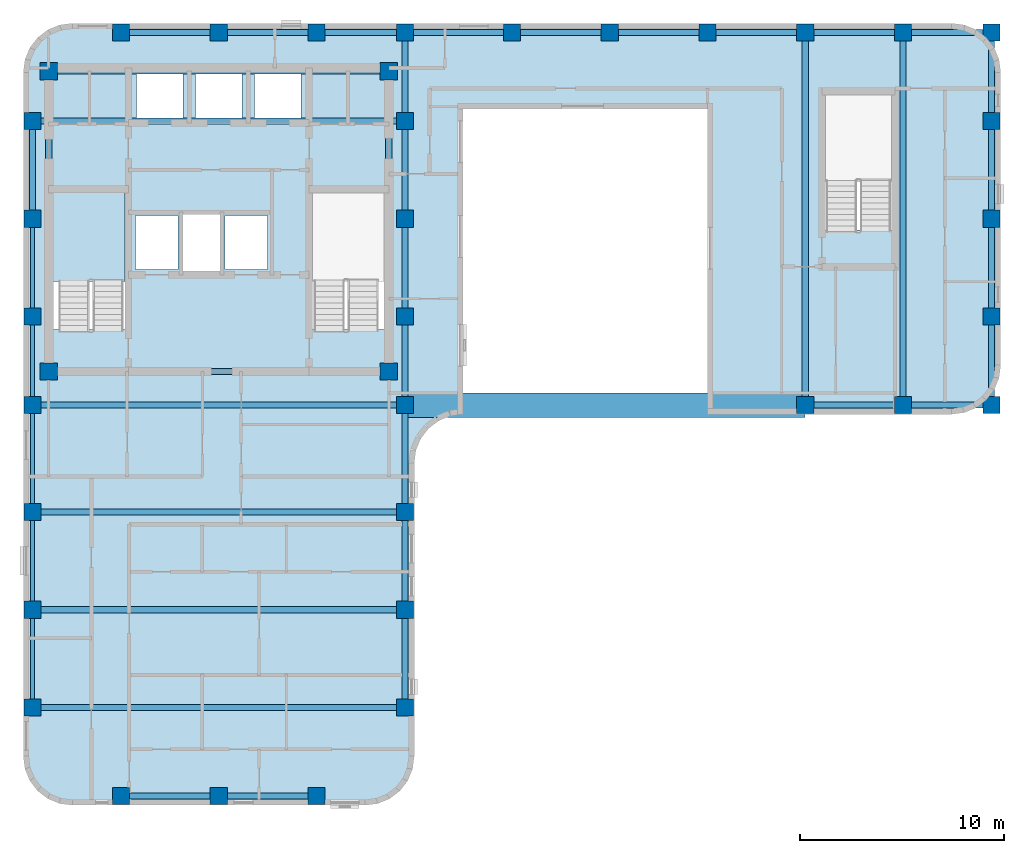
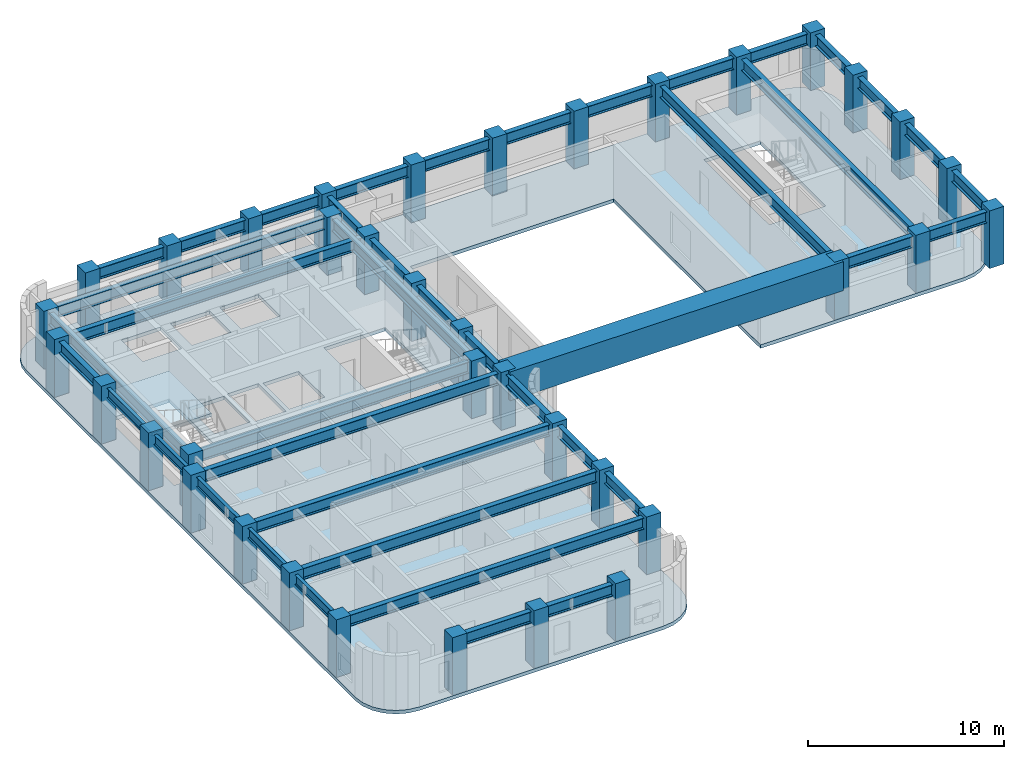
# One storey, part 1 of 8: 42 beams, 37 columns, 2 slabs, 1 element without a shape of its own.
"""IFC4 building model written with IfcOpenShell, lengths in metres."""

import ifcopenshell
import ifcopenshell.guid

model = None  # the IFC model being written
_history = None  # IfcOwnerHistory: only IFC2X3 demands one
_inside = {}  # id of a spatial element -> (the spatial element, [elements in it])
_under = {}  # id of a project, library or spatial element -> (it, [spatial elements below it])
_declared = {}  # id of a project -> (the project, [libraries it declares])
_typed = {}  # id of a type object -> (the type object, [elements of that type])
_made_of = {}  # id of a material, layer set ... -> (it, [elements and type objects made of it])


def new_model(schema):
    """Start an empty IFC model of exactly this schema.

    Asked for "IFC4X3", IfcOpenShell would pick the latest addendum, in which some entities
    have other attributes; the version numbers below select the first issue.
    IFC2X3 requires an IfcOwnerHistory on every rooted entity: one is made here for all.
    """
    global model, _history
    if schema == "IFC4X3":
        model = ifcopenshell.file(schema_version=(4, 3, 0, 0))
    else:
        model = ifcopenshell.file(schema=schema)
    _inside.clear()
    _under.clear()
    _declared.clear()
    _typed.clear()
    _made_of.clear()
    _history = None
    if model.schema == "IFC2X3":
        org = make("IfcOrganization", Name="unknown")
        user = make(
            "IfcPersonAndOrganization",
            ThePerson=make("IfcPerson", FamilyName="unknown"),
            TheOrganization=org,
        )
        app = make(
            "IfcApplication",
            ApplicationDeveloper=org,
            Version="unknown",
            ApplicationFullName="unknown",
            ApplicationIdentifier="unknown",
        )
        _history = make(
            "IfcOwnerHistory",
            OwningUser=user,
            OwningApplication=app,
            ChangeAction="ADDED",
            CreationDate=0,
        )
    return model


def make(cls, **values):
    """One entity of the class cls with the attributes given. An attribute that is None is left unset."""
    return model.create_entity(
        cls, **{name: value for name, value in values.items() if value is not None}
    )


def rooted(cls, **values):
    """An entity with a GlobalId (a new one), such as an element, a storey or a relation."""
    return make(cls, GlobalId=ifcopenshell.guid.new(), OwnerHistory=_history, **values)


def si_unit(unit_type, name, prefix=None):
    """IfcSIUnit, for example si_unit("LENGTHUNIT", "METRE", prefix="MILLI")."""
    return make("IfcSIUnit", UnitType=unit_type, Prefix=prefix, Name=name)


def assignment(units):
    """IfcUnitAssignment: the units of a project."""
    return None if units is None else make("IfcUnitAssignment", Units=units)


def point(xyz):
    """IfcCartesianPoint."""
    return None if xyz is None else make("IfcCartesianPoint", Coordinates=xyz)


def direction(xyz):
    """IfcDirection."""
    return None if xyz is None else make("IfcDirection", DirectionRatios=xyz)


def frame(location, z_axis=None, x_axis=None):
    """IfcAxis2Placement3D, a coordinate frame: its origin and axes. An axis left out is left unset."""
    return make(
        "IfcAxis2Placement3D",
        Location=point(location),
        Axis=direction(z_axis),
        RefDirection=direction(x_axis),
    )


def frame_2d(location, x_axis=None):
    """IfcAxis2Placement2D, a coordinate frame in the plane: its origin and x axis."""
    return make(
        "IfcAxis2Placement2D", Location=point(location), RefDirection=direction(x_axis)
    )


def origin():
    """The frame at (0, 0, 0) with its axes left unset."""
    return frame((0.0, 0.0, 0.0))


def origin_2d():
    """The frame at (0, 0) in the plane with its x axis left unset."""
    return frame_2d((0.0, 0.0))


def place(relative_to, where):
    """IfcLocalPlacement: puts the frame where relative to a parent placement (None: the world)."""
    return make(
        "IfcLocalPlacement", PlacementRelTo=relative_to, RelativePlacement=where
    )


def context(
    kind, dimensions, precision=None, world=None, true_north=None, identifier=None
):
    """IfcGeometricRepresentationContext, for example the 3D "Model" context."""
    return make(
        "IfcGeometricRepresentationContext",
        ContextIdentifier=identifier,
        ContextType=kind,
        CoordinateSpaceDimension=dimensions,
        Precision=precision,
        WorldCoordinateSystem=world,
        TrueNorth=true_north,
    )


def subcontext(parent, identifier, kind, view, scale=None):
    """IfcGeometricRepresentationSubContext, for example "Body" below "Model"."""
    return make(
        "IfcGeometricRepresentationSubContext",
        ContextIdentifier=identifier,
        ContextType=kind,
        ParentContext=parent,
        TargetScale=scale,
        TargetView=view,
    )


def project(units=None, contexts=None):
    """IfcProject with its units and contexts."""
    return rooted(
        "IfcProject",
        Name="project",
        RepresentationContexts=contexts,
        UnitsInContext=assignment(units),
    )


def spatial(cls, under=None, at=None, **own):
    """A site, building, storey or space (cls), placed at a placement, below another one or the project."""
    s = rooted(cls, ObjectPlacement=at, **own)
    if under is not None:
        _under.setdefault(under.id(), (under, []))[1].append(s)
    return s


def polyline(points):
    """IfcPolyline through the points."""
    return make("IfcPolyline", Points=[point(p) for p in points])


def profile(cls, at=None, kind="AREA", **sizes):
    """A parametric profile (cls). Its sizes go by their IFC names, for example OverallWidth=200.0."""
    return make(cls, ProfileType=kind, Position=at, **sizes)


def rectangle(**sizes):
    """IfcRectangleProfileDef."""
    return profile("IfcRectangleProfileDef", **sizes)


def i_section(**sizes):
    """IfcIShapeProfileDef."""
    return profile("IfcIShapeProfileDef", **sizes)


def outline(outer, holes=None, kind="AREA"):
    """IfcArbitraryClosedProfileDef: a profile drawn as a closed curve; with holes, ...WithVoids."""
    if holes is None:
        return make("IfcArbitraryClosedProfileDef", ProfileType=kind, OuterCurve=outer)
    return make(
        "IfcArbitraryProfileDefWithVoids",
        ProfileType=kind,
        OuterCurve=outer,
        InnerCurves=holes,
    )


def extrude(swept, where, along, depth):
    """IfcExtrudedAreaSolid: the profile swept, set in the frame where, extruded along a direction by depth."""
    return make(
        "IfcExtrudedAreaSolid",
        SweptArea=swept,
        Position=where,
        ExtrudedDirection=direction(along),
        Depth=depth,
    )


def shape(context_of_items, identifier, shape_type, items):
    """IfcShapeRepresentation: the items that make up one representation, for example the "Body"."""
    return make(
        "IfcShapeRepresentation",
        ContextOfItems=context_of_items,
        RepresentationIdentifier=identifier,
        RepresentationType=shape_type,
        Items=items,
    )


def material(Name=None, Category=None):
    """IfcMaterial."""
    return make("IfcMaterial", Name=Name, Category=Category)


def layer(
    of_material, thickness, ventilated=None, Name=None, Category=None, Priority=None
):
    """IfcMaterialLayer: one layer of a wall or slab, of a material (None: an air gap)."""
    return make(
        "IfcMaterialLayer",
        Material=of_material,
        LayerThickness=thickness,
        IsVentilated=ventilated,
        Name=Name,
        Category=Category,
        Priority=Priority,
    )


def layer_set(layers, Name=None):
    """IfcMaterialLayerSet."""
    return make("IfcMaterialLayerSet", MaterialLayers=layers, LayerSetName=Name)


def material_profile(
    of_material, cross_section, Name=None, Category=None, Priority=None
):
    """IfcMaterialProfile: a cross section and its material."""
    return make(
        "IfcMaterialProfile",
        Name=Name,
        Material=of_material,
        Profile=cross_section,
        Priority=Priority,
        Category=Category,
    )


def profile_set(profiles, Name=None, composite=None):
    """IfcMaterialProfileSet."""
    return make(
        "IfcMaterialProfileSet",
        Name=Name,
        MaterialProfiles=profiles,
        CompositeProfile=composite,
    )


def made_of(thing, what):
    """Note that an element or type object is made of a material, layer set ...; save() writes the relation."""
    if what is not None:
        _made_of.setdefault(what.id(), (what, []))[1].append(thing)
    return thing


def type_object(cls, material=None, **own):
    """A type object (cls), such as IfcWallType, which elements share."""
    return made_of(rooted(cls, **own), material)


def element(
    cls,
    number,
    at=None,
    inside=None,
    cuts=None,
    type_object=None,
    material=None,
    context=None,
    identifier="Body",
    shape_type=None,
    held_by="IfcProductDefinitionShape",
    body=None,
    shapes=None,
    **own,
):
    """One element of the class cls, such as IfcWall. Its Tag is "e" and its number.

    at: its placement. inside: the storey or other place that contains it. cuts: it is an
    opening in that element (IfcRelVoidsElement). A single representation is given by context,
    identifier, shape_type and body (its items); several are given by shapes. held_by: the class
    of the entity that holds the representations. save() writes the other relations.
    """
    e = rooted(cls, Tag="e%d" % number, ObjectPlacement=at, **own)
    if body is not None:
        shapes = [shape(context, identifier, shape_type, body)]
    if shapes is not None:
        e.Representation = make(held_by, Representations=shapes)
    if inside is not None:
        _inside.setdefault(inside.id(), (inside, []))[1].append(e)
    if cuts is not None:
        rooted(
            "IfcRelVoidsElement", RelatingBuildingElement=cuts, RelatedOpeningElement=e
        )
    if type_object is not None:
        _typed.setdefault(type_object.id(), (type_object, []))[1].append(e)
    return made_of(e, material)


def aggregate(whole, parts):
    """IfcRelAggregates: a whole, such as a stair, and the parts it consists of."""
    return rooted("IfcRelAggregates", RelatingObject=whole, RelatedObjects=parts)


def save(model, path):
    """Write the relations noted so far, then the file.

    IfcRelAggregates (storeys below a building ...), IfcRelContainedInSpatialStructure (elements
    in a storey), IfcRelDefinesByType, IfcRelAssociatesMaterial and IfcRelDeclares: one each for
    every whole, place, type object, material and project.
    """
    for whole, parts in _under.values():
        aggregate(whole, parts)
    for where, things in _inside.values():
        rooted(
            "IfcRelContainedInSpatialStructure",
            RelatedElements=things,
            RelatingStructure=where,
        )
    for kind, things in _typed.values():
        rooted("IfcRelDefinesByType", RelatedObjects=things, RelatingType=kind)
    for what, things in _made_of.values():
        rooted("IfcRelAssociatesMaterial", RelatedObjects=things, RelatingMaterial=what)
    for by, libraries in _declared.values():
        rooted("IfcRelDeclares", RelatingContext=by, RelatedDefinitions=libraries)
    model.write(path)


model = new_model("IFC4")

# Units and contexts
model_context = context("Model", 3, precision=1e-05, world=origin(), true_north=direction((0.0, 1.0)))
body_context = subcontext(model_context, "Body", "Model", "MODEL_VIEW")
ifc_project = project(units=[si_unit("LENGTHUNIT", "METRE"), si_unit("AREAUNIT", "SQUARE_METRE"), si_unit("VOLUMEUNIT", "CUBIC_METRE"), si_unit("PLANEANGLEUNIT", "RADIAN"), si_unit("MASSUNIT", "GRAM", prefix="KILO")], contexts=[model_context])

# Site, building, storey
site_placement = place(None, origin())
site = spatial("IfcSite", under=ifc_project, at=site_placement, CompositionType="ELEMENT")
building_placement = place(site_placement, origin())
building = spatial("IfcBuilding", under=site, at=building_placement, Name="Orvandelia Arch Residences", CompositionType="ELEMENT")
storey_placement = place(building_placement, frame((0.0, 0.0, 203.800048828125)))
storey = spatial("IfcBuildingStorey", under=building, at=storey_placement, Name="L53", CompositionType="ELEMENT", Elevation=203.800048828125)

# Columns
ifc_material_1 = material(Name="Concrete C60/75", Category="concrete")
ifc_material_profile_1 = material_profile(ifc_material_1, rectangle(XDim=0.85009765625, YDim=0.85009765625, at=origin_2d()), Name="Concrete C60/75", Category="concrete")
ifc_profile_set_1 = profile_set([ifc_material_profile_1], Name="Concrete C60/75")
column_type = type_object("IfcColumnType", Name="COL-TWR-850", PredefinedType="COLUMN", material=ifc_profile_set_1)
for number, where, z_axis, x_axis, name in (
    (1, (5.25, 14.39990234375, 0.0), (0.0, 0.0, 1.0), (1.0, 0.0, 0.0), "Structural Column L53-W-W-144"),
    (2, (5.25, 19.199951171875, 0.0), (0.0, 0.0, 1.0), (1.0, 0.0, 0.0), "Structural Column L53-W-W-192"),
    (3, (5.25, 24.0, 0.0), (0.0, 0.0, 1.0), (1.0, 0.0, 0.0), "Structural Column L53-W-W-240"),
    (4, (5.25, 29.25, 0.0), (0.0, 0.0, 1.0), (1.0, 0.0, 0.0), "Structural Column L53-W-W-292"),
    (5, (5.25, 33.60009765625, 0.0), (0.0, 0.0, 1.0), (1.0, 0.0, 0.0), "Structural Column L53-W-W-336"),
    (6, (5.25, 38.39990234375, 0.0), (0.0, 0.0, 1.0), (1.0, 0.0, 0.0), "Structural Column L53-W-W-384"),
    (7, (5.25, 43.199951171875, 0.0), (0.0, 0.0, 1.0), (1.0, 0.0, 0.0), "Structural Column L53-W-W-432"),
    (8, (6.050048828125, 30.89990234375, 0.0), (0.0, 0.0, 1.0), (1.0, 0.0, 0.0), "Structural Column L53-CR-SW"),
    (9, (6.050048828125, 45.64990234375, 0.0), (0.0, 0.0, 1.0), (1.0, 0.0, 0.0), "Structural Column L53-CR-NW"),
    (10, (9.60009765625, 10.050048828125, 0.0), (0.0, 0.0, 1.0), (1.0, 0.0, 0.0), "Structural Column L53-W-S-96"),
    (11, (9.60009765625, 47.550048828125, 0.0), (0.0, 0.0, 1.0), (1.0, 0.0, 0.0), "Structural Column L53-W-N-96"),
    (12, (14.39990234375, 10.050048828125, 0.0), (0.0, 0.0, 1.0), (1.0, 0.0, 0.0), "Structural Column L53-W-S-144"),
    (13, (14.39990234375, 47.550048828125, 0.0), (0.0, 0.0, 1.0), (1.0, 0.0, 0.0), "Structural Column L53-W-N-144"),
    (14, (19.199951171875, 10.050048828125, 0.0), (0.0, 0.0, 1.0), (1.0, 0.0, 0.0), "Structural Column L53-W-S-192"),
    (15, (19.199951171875, 47.550048828125, 0.0), (0.0, 0.0, 1.0), (1.0, 0.0, 0.0), "Structural Column L53-W-N-192"),
    (16, (22.75, 30.89990234375, 0.0), (0.0, 0.0, 1.0), (1.0, 0.0, 0.0), "Structural Column L53-CR-SE"),
    (17, (22.75, 45.64990234375, 0.0), (0.0, 0.0, 1.0), (1.0, 0.0, 0.0), "Structural Column L53-CR-NE"),
    (18, (23.550048828125, 14.39990234375, 0.0), (0.0, 0.0, 1.0), (1.0, 0.0, 0.0), "Structural Column L53-W-E-144"),
    (19, (23.550048828125, 19.199951171875, 0.0), (0.0, 0.0, 1.0), (1.0, 0.0, 0.0), "Structural Column L53-W-E-192"),
    (20, (23.550048828125, 24.0, 0.0), (0.0, 0.0, 1.0), (1.0, 0.0, 0.0), "Structural Column L53-W-E-240"),
    (21, (23.550048828125, 29.25, 0.0), (0.0, 0.0, 1.0), (1.0, 0.0, 0.0), "Structural Column L53-W-E-292"),
    (22, (23.550048828125, 33.60009765625, 0.0), (0.0, 0.0, 1.0), (1.0, 0.0, 0.0), "Structural Column L53-W-E-336"),
    (23, (23.550048828125, 38.39990234375, 0.0), (0.0, 0.0, 1.0), (1.0, 0.0, 0.0), "Structural Column L53-W-E-384"),
    (24, (23.550048828125, 43.199951171875, 0.0), (0.0, 0.0, 1.0), (1.0, 0.0, 0.0), "Structural Column L53-W-E-432"),
    (25, (23.550048828125, 47.550048828125, 0.0), (0.0, 0.0, 1.0), (1.0, 0.0, 0.0), "Structural Column L53-W-N-235"),
    (26, (28.800048828125, 47.550048828125, 0.0), (0.0, 0.0, 1.0), (1.0, 0.0, 0.0), "Structural Column L53-E-N-288"),
    (27, (33.60009765625, 47.550048828125, 0.0), (0.0, 0.0, 1.0), (1.0, 0.0, 0.0), "Structural Column L53-E-N-336"),
    (28, (38.39990234375, 47.550048828125, 0.0), (0.0, 0.0, 1.0), (1.0, 0.0, 0.0), "Structural Column L53-E-N-384"),
    (29, (43.199951171875, 29.25, 0.0), (0.0, 0.0, 1.0), (1.0, 0.0, 0.0), "Structural Column L53-E-S-432"),
    (30, (43.199951171875, 47.550048828125, 0.0), (0.0, 0.0, 1.0), (1.0, 0.0, 0.0), "Structural Column L53-E-N-432"),
    (31, (48.0, 29.25, 0.0), (0.0, 0.0, 1.0), (1.0, 0.0, 0.0), "Structural Column L53-E-S-480"),
    (32, (48.0, 47.550048828125, 0.0), (0.0, 0.0, 1.0), (1.0, 0.0, 0.0), "Structural Column L53-E-N-480"),
    (33, (52.35009765625, 29.25, 0.0), (0.0, 0.0, 1.0), (1.0, 0.0, 0.0), "Structural Column L53-E-S-523"),
    (34, (52.35009765625, 33.60009765625, 0.0), (0.0, 0.0, 1.0), (1.0, 0.0, 0.0), "Structural Column L53-E-523-336"),
    (35, (52.35009765625, 38.39990234375, 0.0), (0.0, 0.0, 1.0), (1.0, 0.0, 0.0), "Structural Column L53-E-523-384"),
    (36, (52.35009765625, 43.199951171875, 0.0), (0.0, 0.0, 1.0), (1.0, 0.0, 0.0), "Structural Column L53-E-523-432"),
    (37, (52.35009765625, 47.550048828125, 0.0), (0.0, 0.0, 1.0), (1.0, 0.0, 0.0), "Structural Column L53-E-N-523"),
):
    element("IfcColumn", number, at=place(storey_placement, frame(where, z_axis=z_axis, x_axis=x_axis)), inside=storey, type_object=column_type, Name=name, PredefinedType="COLUMN", context=body_context, shape_type="SweptSolid", body=[
        extrude(rectangle(XDim=0.85009765625, YDim=0.85009765625, at=origin_2d()), origin(), (0.0, 0.0, 1.0), 3.599853515625),
    ])

# Beams
ifc_material_2 = material(Name="Structural Steel SM355 (355 MPa)", Category="steel")
ifc_material_profile_2 = material_profile(ifc_material_2, i_section(OverallWidth=0.300048828125, OverallDepth=0.699951171875, WebThickness=0.012939453125, FlangeThickness=0.02392578125, FilletRadius=0.02392578125, at=origin_2d()), Name="Structural Steel SM355 (355 MPa)", Category="steel")
ifc_profile_set_2 = profile_set([ifc_material_profile_2], Name="Structural Steel SM355 (355 MPa)")
beam_type_1 = type_object("IfcBeamType", Name="BM-GRD-H700", PredefinedType="BEAM", material=ifc_profile_set_2)
beam_1_placement = place(storey_placement, frame((5.25, 38.39990234375, 3.030029296875), z_axis=(0.0, 1.0, 0.0), x_axis=(-1.0, 0.0, 0.0)))
element("IfcBeam", 38, at=beam_1_placement, inside=storey, type_object=beam_type_1, Name="Structural Frame Beam L53-NS-006", PredefinedType="BEAM", context=body_context, shape_type="SweptSolid", body=[
    extrude(i_section(OverallWidth=0.300048828125, OverallDepth=0.699951171875, WebThickness=0.012939453125, FlangeThickness=0.02392578125, FilletRadius=0.02392578125, at=origin_2d()), origin(), (0.0, 0.0, 1.0), 4.800048828125),
])
for number, where, z_axis, x_axis, name in (
    (39, (6.050048828125, 30.89990234375, 3.030029296875), (0.0, 1.0, 0.0), (-1.0, 0.0, 0.0), "Structural Frame Beam L53-NS-007"),
    (40, (22.75, 30.89990234375, 3.030029296875), (0.0, 1.0, 0.0), (-1.0, 0.0, 0.0), "Structural Frame Beam L53-NS-008"),
):
    element("IfcBeam", number, at=place(storey_placement, frame(where, z_axis=z_axis, x_axis=x_axis)), inside=storey, type_object=beam_type_1, Name=name, PredefinedType="BEAM", context=body_context, shape_type="SweptSolid", body=[
        extrude(i_section(OverallWidth=0.300048828125, OverallDepth=0.699951171875, WebThickness=0.012939453125, FlangeThickness=0.02392578125, FilletRadius=0.02392578125, at=origin_2d()), origin(), (0.0, 0.0, 1.0), 14.75),
    ])
for number, where, z_axis, x_axis, name in (
    (41, (23.550048828125, 14.39990234375, 3.030029296875), (0.0, 1.0, 0.0), (-1.0, 0.0, 0.0), "Structural Frame Beam L53-NS-009"),
    (42, (23.550048828125, 19.199951171875, 3.030029296875), (0.0, 1.0, 0.0), (-1.0, 0.0, 0.0), "Structural Frame Beam L53-NS-010"),
):
    element("IfcBeam", number, at=place(storey_placement, frame(where, z_axis=z_axis, x_axis=x_axis)), inside=storey, type_object=beam_type_1, Name=name, PredefinedType="BEAM", context=body_context, shape_type="SweptSolid", body=[
        extrude(i_section(OverallWidth=0.300048828125, OverallDepth=0.699951171875, WebThickness=0.012939453125, FlangeThickness=0.02392578125, FilletRadius=0.02392578125, at=origin_2d()), origin(), (0.0, 0.0, 1.0), 4.800048828125),
    ])
beam_2_placement = place(storey_placement, frame((23.550048828125, 24.0, 3.030029296875), z_axis=(0.0, 1.0, 0.0), x_axis=(-1.0, 0.0, 0.0)))
element("IfcBeam", 43, at=beam_2_placement, inside=storey, type_object=beam_type_1, Name="Structural Frame Beam L53-NS-011", PredefinedType="BEAM", context=body_context, shape_type="SweptSolid", body=[
    extrude(i_section(OverallWidth=0.300048828125, OverallDepth=0.699951171875, WebThickness=0.012939453125, FlangeThickness=0.02392578125, FilletRadius=0.02392578125, at=origin_2d()), origin(), (0.0, 0.0, 1.0), 5.25),
])
beam_3_placement = place(storey_placement, frame((23.550048828125, 29.25, 3.030029296875), z_axis=(0.0, 1.0, 0.0), x_axis=(-1.0, 0.0, 0.0)))
element("IfcBeam", 44, at=beam_3_placement, inside=storey, type_object=beam_type_1, Name="Structural Frame Beam L53-NS-012", PredefinedType="BEAM", context=body_context, shape_type="SweptSolid", body=[
    extrude(i_section(OverallWidth=0.300048828125, OverallDepth=0.699951171875, WebThickness=0.012939453125, FlangeThickness=0.02392578125, FilletRadius=0.02392578125, at=origin_2d()), origin(), (0.0, 0.0, 1.0), 4.35009765625),
])
beam_4_placement = place(storey_placement, frame((23.550048828125, 33.60009765625, 3.030029296875), z_axis=(0.0, 1.0, 0.0), x_axis=(-1.0, 0.0, 0.0)))
element("IfcBeam", 45, at=beam_4_placement, inside=storey, type_object=beam_type_1, Name="Structural Frame Beam L53-NS-013", PredefinedType="BEAM", context=body_context, shape_type="SweptSolid", body=[
    extrude(i_section(OverallWidth=0.300048828125, OverallDepth=0.699951171875, WebThickness=0.012939453125, FlangeThickness=0.02392578125, FilletRadius=0.02392578125, at=origin_2d()), origin(), (0.0, 0.0, 1.0), 4.7998046875),
])
beam_5_placement = place(storey_placement, frame((23.550048828125, 38.39990234375, 3.030029296875), z_axis=(0.0, 1.0, 0.0), x_axis=(-1.0, 0.0, 0.0)))
element("IfcBeam", 46, at=beam_5_placement, inside=storey, type_object=beam_type_1, Name="Structural Frame Beam L53-NS-014", PredefinedType="BEAM", context=body_context, shape_type="SweptSolid", body=[
    extrude(i_section(OverallWidth=0.300048828125, OverallDepth=0.699951171875, WebThickness=0.012939453125, FlangeThickness=0.02392578125, FilletRadius=0.02392578125, at=origin_2d()), origin(), (0.0, 0.0, 1.0), 4.800048828125),
])
beam_6_placement = place(storey_placement, frame((23.550048828125, 43.199951171875, 3.030029296875), z_axis=(0.0, 1.0, 0.0), x_axis=(-1.0, 0.0, 0.0)))
element("IfcBeam", 47, at=beam_6_placement, inside=storey, type_object=beam_type_1, Name="Structural Frame Beam L53-NS-015", PredefinedType="BEAM", context=body_context, shape_type="SweptSolid", body=[
    extrude(i_section(OverallWidth=0.300048828125, OverallDepth=0.699951171875, WebThickness=0.012939453125, FlangeThickness=0.02392578125, FilletRadius=0.02392578125, at=origin_2d()), origin(), (0.0, 0.0, 1.0), 4.35009765625),
])
for number, where, z_axis, x_axis, name in (
    (48, (43.199951171875, 29.25, 3.030029296875), (0.0, 1.0, 0.0), (-1.0, 0.0, 0.0), "Structural Frame Beam L53-NS-016"),
    (49, (48.0, 29.25, 3.030029296875), (0.0, 1.0, 0.0), (-1.0, 0.0, 0.0), "Structural Frame Beam L53-NS-017"),
):
    element("IfcBeam", number, at=place(storey_placement, frame(where, z_axis=z_axis, x_axis=x_axis)), inside=storey, type_object=beam_type_1, Name=name, PredefinedType="BEAM", context=body_context, shape_type="SweptSolid", body=[
        extrude(i_section(OverallWidth=0.300048828125, OverallDepth=0.699951171875, WebThickness=0.012939453125, FlangeThickness=0.02392578125, FilletRadius=0.02392578125, at=origin_2d()), origin(), (0.0, 0.0, 1.0), 18.300048828125),
    ])
beam_7_placement = place(storey_placement, frame((52.35009765625, 29.25, 3.030029296875), z_axis=(0.0, 1.0, 0.0), x_axis=(-1.0, 0.0, 0.0)))
element("IfcBeam", 50, at=beam_7_placement, inside=storey, type_object=beam_type_1, Name="Structural Frame Beam L53-NS-018", PredefinedType="BEAM", context=body_context, shape_type="SweptSolid", body=[
    extrude(i_section(OverallWidth=0.300048828125, OverallDepth=0.699951171875, WebThickness=0.012939453125, FlangeThickness=0.02392578125, FilletRadius=0.02392578125, at=origin_2d()), origin(), (0.0, 0.0, 1.0), 4.35009765625),
])
beam_8_placement = place(storey_placement, frame((52.35009765625, 33.60009765625, 3.030029296875), z_axis=(0.0, 1.0, 0.0), x_axis=(-1.0, 0.0, 0.0)))
element("IfcBeam", 51, at=beam_8_placement, inside=storey, type_object=beam_type_1, Name="Structural Frame Beam L53-NS-019", PredefinedType="BEAM", context=body_context, shape_type="SweptSolid", body=[
    extrude(i_section(OverallWidth=0.300048828125, OverallDepth=0.699951171875, WebThickness=0.012939453125, FlangeThickness=0.02392578125, FilletRadius=0.02392578125, at=origin_2d()), origin(), (0.0, 0.0, 1.0), 4.7998046875),
])
beam_9_placement = place(storey_placement, frame((52.35009765625, 38.39990234375, 3.030029296875), z_axis=(0.0, 1.0, 0.0), x_axis=(-1.0, 0.0, 0.0)))
element("IfcBeam", 52, at=beam_9_placement, inside=storey, type_object=beam_type_1, Name="Structural Frame Beam L53-NS-020", PredefinedType="BEAM", context=body_context, shape_type="SweptSolid", body=[
    extrude(i_section(OverallWidth=0.300048828125, OverallDepth=0.699951171875, WebThickness=0.012939453125, FlangeThickness=0.02392578125, FilletRadius=0.02392578125, at=origin_2d()), origin(), (0.0, 0.0, 1.0), 4.800048828125),
])
beam_10_placement = place(storey_placement, frame((52.35009765625, 43.199951171875, 3.030029296875), z_axis=(0.0, 1.0, 0.0), x_axis=(-1.0, 0.0, 0.0)))
element("IfcBeam", 53, at=beam_10_placement, inside=storey, type_object=beam_type_1, Name="Structural Frame Beam L53-NS-021", PredefinedType="BEAM", context=body_context, shape_type="SweptSolid", body=[
    extrude(i_section(OverallWidth=0.300048828125, OverallDepth=0.699951171875, WebThickness=0.012939453125, FlangeThickness=0.02392578125, FilletRadius=0.02392578125, at=origin_2d()), origin(), (0.0, 0.0, 1.0), 4.35009765625),
])
beam_11_placement = place(storey_placement, frame((9.60009765625, 10.050048828125, 3.030029296875), z_axis=(1.0, 0.0, 0.0), x_axis=(0.0, 1.0, 0.0)))
element("IfcBeam", 54, at=beam_11_placement, inside=storey, type_object=beam_type_1, Name="Structural Frame Girder L53-EW-022", PredefinedType="BEAM", context=body_context, shape_type="SweptSolid", body=[
    extrude(i_section(OverallWidth=0.300048828125, OverallDepth=0.699951171875, WebThickness=0.012939453125, FlangeThickness=0.02392578125, FilletRadius=0.02392578125, at=origin_2d()), origin(), (0.0, 0.0, 1.0), 4.7998046875),
])
beam_12_placement = place(storey_placement, frame((14.39990234375, 10.050048828125, 3.030029296875), z_axis=(1.0, 0.0, 0.0), x_axis=(0.0, 1.0, 0.0)))
element("IfcBeam", 55, at=beam_12_placement, inside=storey, type_object=beam_type_1, Name="Structural Frame Girder L53-EW-023", PredefinedType="BEAM", context=body_context, shape_type="SweptSolid", body=[
    extrude(i_section(OverallWidth=0.300048828125, OverallDepth=0.699951171875, WebThickness=0.012939453125, FlangeThickness=0.02392578125, FilletRadius=0.02392578125, at=origin_2d()), origin(), (0.0, 0.0, 1.0), 4.800048828125),
])
for number, where, z_axis, x_axis, name in (
    (56, (5.25, 14.39990234375, 3.030029296875), (1.0, 0.0, 0.0), (0.0, 1.0, 0.0), "Structural Frame Girder L53-EW-024"),
    (57, (5.25, 19.199951171875, 3.030029296875), (1.0, 0.0, 0.0), (0.0, 1.0, 0.0), "Structural Frame Girder L53-EW-025"),
    (58, (5.25, 24.0, 3.030029296875), (1.0, 0.0, 0.0), (0.0, 1.0, 0.0), "Structural Frame Girder L53-EW-026"),
    (59, (5.25, 29.25, 3.030029296875), (1.0, 0.0, 0.0), (0.0, 1.0, 0.0), "Structural Frame Girder L53-EW-027"),
):
    element("IfcBeam", number, at=place(storey_placement, frame(where, z_axis=z_axis, x_axis=x_axis)), inside=storey, type_object=beam_type_1, Name=name, PredefinedType="BEAM", context=body_context, shape_type="SweptSolid", body=[
        extrude(i_section(OverallWidth=0.300048828125, OverallDepth=0.699951171875, WebThickness=0.012939453125, FlangeThickness=0.02392578125, FilletRadius=0.02392578125, at=origin_2d()), origin(), (0.0, 0.0, 1.0), 18.300048828125),
    ])
beam_13_placement = place(storey_placement, frame((43.199951171875, 29.25, 3.030029296875), z_axis=(1.0, 0.0, 0.0), x_axis=(0.0, 1.0, 0.0)))
element("IfcBeam", 60, at=beam_13_placement, inside=storey, type_object=beam_type_1, Name="Structural Frame Girder L53-EW-028", PredefinedType="BEAM", context=body_context, shape_type="SweptSolid", body=[
    extrude(i_section(OverallWidth=0.300048828125, OverallDepth=0.699951171875, WebThickness=0.012939453125, FlangeThickness=0.02392578125, FilletRadius=0.02392578125, at=origin_2d()), origin(), (0.0, 0.0, 1.0), 4.800048828125),
])
beam_14_placement = place(storey_placement, frame((48.0, 29.25, 3.030029296875), z_axis=(1.0, 0.0, 0.0), x_axis=(0.0, 1.0, 0.0)))
element("IfcBeam", 61, at=beam_14_placement, inside=storey, type_object=beam_type_1, Name="Structural Frame Girder L53-EW-029", PredefinedType="BEAM", context=body_context, shape_type="SweptSolid", body=[
    extrude(i_section(OverallWidth=0.300048828125, OverallDepth=0.699951171875, WebThickness=0.012939453125, FlangeThickness=0.02392578125, FilletRadius=0.02392578125, at=origin_2d()), origin(), (0.0, 0.0, 1.0), 4.35009765625),
])
beam_15_placement = place(storey_placement, frame((6.050048828125, 30.89990234375, 3.030029296875), z_axis=(1.0, 0.0, 0.0), x_axis=(0.0, 1.0, 0.0)))
element("IfcBeam", 62, at=beam_15_placement, inside=storey, type_object=beam_type_1, Name="Structural Frame Girder L53-EW-030", PredefinedType="BEAM", context=body_context, shape_type="SweptSolid", body=[
    extrude(i_section(OverallWidth=0.300048828125, OverallDepth=0.699951171875, WebThickness=0.012939453125, FlangeThickness=0.02392578125, FilletRadius=0.02392578125, at=origin_2d()), origin(), (0.0, 0.0, 1.0), 16.699951171875),
])
beam_16_placement = place(storey_placement, frame((5.25, 43.199951171875, 3.030029296875), z_axis=(1.0, 0.0, 0.0), x_axis=(0.0, 1.0, 0.0)))
element("IfcBeam", 63, at=beam_16_placement, inside=storey, type_object=beam_type_1, Name="Structural Frame Girder L53-EW-033", PredefinedType="BEAM", context=body_context, shape_type="SweptSolid", body=[
    extrude(i_section(OverallWidth=0.300048828125, OverallDepth=0.699951171875, WebThickness=0.012939453125, FlangeThickness=0.02392578125, FilletRadius=0.02392578125, at=origin_2d()), origin(), (0.0, 0.0, 1.0), 18.300048828125),
])
beam_17_placement = place(storey_placement, frame((6.050048828125, 45.64990234375, 3.030029296875), z_axis=(1.0, 0.0, 0.0), x_axis=(0.0, 1.0, 0.0)))
element("IfcBeam", 64, at=beam_17_placement, inside=storey, type_object=beam_type_1, Name="Structural Frame Girder L53-EW-034", PredefinedType="BEAM", context=body_context, shape_type="SweptSolid", body=[
    extrude(i_section(OverallWidth=0.300048828125, OverallDepth=0.699951171875, WebThickness=0.012939453125, FlangeThickness=0.02392578125, FilletRadius=0.02392578125, at=origin_2d()), origin(), (0.0, 0.0, 1.0), 16.699951171875),
])
beam_18_placement = place(storey_placement, frame((9.60009765625, 47.550048828125, 3.030029296875), z_axis=(1.0, 0.0, 0.0), x_axis=(0.0, 1.0, 0.0)))
element("IfcBeam", 65, at=beam_18_placement, inside=storey, type_object=beam_type_1, Name="Structural Frame Girder L53-EW-035", PredefinedType="BEAM", context=body_context, shape_type="SweptSolid", body=[
    extrude(i_section(OverallWidth=0.300048828125, OverallDepth=0.699951171875, WebThickness=0.012939453125, FlangeThickness=0.02392578125, FilletRadius=0.02392578125, at=origin_2d()), origin(), (0.0, 0.0, 1.0), 4.7998046875),
])
beam_19_placement = place(storey_placement, frame((14.39990234375, 47.550048828125, 3.030029296875), z_axis=(1.0, 0.0, 0.0), x_axis=(0.0, 1.0, 0.0)))
element("IfcBeam", 66, at=beam_19_placement, inside=storey, type_object=beam_type_1, Name="Structural Frame Girder L53-EW-036", PredefinedType="BEAM", context=body_context, shape_type="SweptSolid", body=[
    extrude(i_section(OverallWidth=0.300048828125, OverallDepth=0.699951171875, WebThickness=0.012939453125, FlangeThickness=0.02392578125, FilletRadius=0.02392578125, at=origin_2d()), origin(), (0.0, 0.0, 1.0), 4.800048828125),
])
beam_20_placement = place(storey_placement, frame((19.199951171875, 47.550048828125, 3.030029296875), z_axis=(1.0, 0.0, 0.0), x_axis=(0.0, 1.0, 0.0)))
element("IfcBeam", 67, at=beam_20_placement, inside=storey, type_object=beam_type_1, Name="Structural Frame Girder L53-EW-037", PredefinedType="BEAM", context=body_context, shape_type="SweptSolid", body=[
    extrude(i_section(OverallWidth=0.300048828125, OverallDepth=0.699951171875, WebThickness=0.012939453125, FlangeThickness=0.02392578125, FilletRadius=0.02392578125, at=origin_2d()), origin(), (0.0, 0.0, 1.0), 4.35009765625),
])
beam_21_placement = place(storey_placement, frame((23.550048828125, 47.550048828125, 3.030029296875), z_axis=(1.0, 0.0, 0.0), x_axis=(0.0, 1.0, 0.0)))
element("IfcBeam", 68, at=beam_21_placement, inside=storey, type_object=beam_type_1, Name="Structural Frame Girder L53-EW-038", PredefinedType="BEAM", context=body_context, shape_type="SweptSolid", body=[
    extrude(i_section(OverallWidth=0.300048828125, OverallDepth=0.699951171875, WebThickness=0.012939453125, FlangeThickness=0.02392578125, FilletRadius=0.02392578125, at=origin_2d()), origin(), (0.0, 0.0, 1.0), 5.25),
])
beam_22_placement = place(storey_placement, frame((28.800048828125, 47.550048828125, 3.030029296875), z_axis=(1.0, 0.0, 0.0), x_axis=(0.0, 1.0, 0.0)))
element("IfcBeam", 69, at=beam_22_placement, inside=storey, type_object=beam_type_1, Name="Structural Frame Girder L53-EW-039", PredefinedType="BEAM", context=body_context, shape_type="SweptSolid", body=[
    extrude(i_section(OverallWidth=0.300048828125, OverallDepth=0.699951171875, WebThickness=0.012939453125, FlangeThickness=0.02392578125, FilletRadius=0.02392578125, at=origin_2d()), origin(), (0.0, 0.0, 1.0), 4.800048828125),
])
beam_23_placement = place(storey_placement, frame((33.60009765625, 47.550048828125, 3.030029296875), z_axis=(1.0, 0.0, 0.0), x_axis=(0.0, 1.0, 0.0)))
element("IfcBeam", 70, at=beam_23_placement, inside=storey, type_object=beam_type_1, Name="Structural Frame Girder L53-EW-040", PredefinedType="BEAM", context=body_context, shape_type="SweptSolid", body=[
    extrude(i_section(OverallWidth=0.300048828125, OverallDepth=0.699951171875, WebThickness=0.012939453125, FlangeThickness=0.02392578125, FilletRadius=0.02392578125, at=origin_2d()), origin(), (0.0, 0.0, 1.0), 4.7998046875),
])
for number, where, z_axis, x_axis, name in (
    (71, (38.39990234375, 47.550048828125, 3.030029296875), (1.0, 0.0, 0.0), (0.0, 1.0, 0.0), "Structural Frame Girder L53-EW-041"),
    (72, (43.199951171875, 47.550048828125, 3.030029296875), (1.0, 0.0, 0.0), (0.0, 1.0, 0.0), "Structural Frame Girder L53-EW-042"),
):
    element("IfcBeam", number, at=place(storey_placement, frame(where, z_axis=z_axis, x_axis=x_axis)), inside=storey, type_object=beam_type_1, Name=name, PredefinedType="BEAM", context=body_context, shape_type="SweptSolid", body=[
        extrude(i_section(OverallWidth=0.300048828125, OverallDepth=0.699951171875, WebThickness=0.012939453125, FlangeThickness=0.02392578125, FilletRadius=0.02392578125, at=origin_2d()), origin(), (0.0, 0.0, 1.0), 4.800048828125),
    ])
beam_24_placement = place(storey_placement, frame((48.0, 47.550048828125, 3.030029296875), z_axis=(1.0, 0.0, 0.0), x_axis=(0.0, 1.0, 0.0)))
element("IfcBeam", 73, at=beam_24_placement, inside=storey, type_object=beam_type_1, Name="Structural Frame Girder L53-EW-043", PredefinedType="BEAM", context=body_context, shape_type="SweptSolid", body=[
    extrude(i_section(OverallWidth=0.300048828125, OverallDepth=0.699951171875, WebThickness=0.012939453125, FlangeThickness=0.02392578125, FilletRadius=0.02392578125, at=origin_2d()), origin(), (0.0, 0.0, 1.0), 4.35009765625),
])
ifc_material_profile_3 = material_profile(ifc_material_2, i_section(OverallWidth=0.199951171875, OverallDepth=0.60009765625, WebThickness=0.010986328125, FlangeThickness=0.01708984375, FilletRadius=0.02197265625, at=origin_2d()), Name="Structural Steel SM355 (355 MPa)", Category="steel")
ifc_profile_set_3 = profile_set([ifc_material_profile_3], Name="Structural Steel SM355 (355 MPa)")
beam_type_2 = type_object("IfcBeamType", Name="BM-SPN-H600", PredefinedType="SPANDREL", material=ifc_profile_set_3)
for number, where, z_axis, x_axis, name in (
    (74, (5.25, 14.39990234375, 3.079833984375), (0.0, 1.0, 0.0), (-1.0, 0.0, 0.0), "Structural Frame Beam L53-NS-001"),
    (75, (5.25, 19.199951171875, 3.079833984375), (0.0, 1.0, 0.0), (-1.0, 0.0, 0.0), "Structural Frame Beam L53-NS-002"),
):
    element("IfcBeam", number, at=place(storey_placement, frame(where, z_axis=z_axis, x_axis=x_axis)), inside=storey, type_object=beam_type_2, Name=name, PredefinedType="SPANDREL", context=body_context, shape_type="SweptSolid", body=[
        extrude(i_section(OverallWidth=0.199951171875, OverallDepth=0.60009765625, WebThickness=0.010986328125, FlangeThickness=0.01708984375, FilletRadius=0.02197265625, at=origin_2d()), origin(), (0.0, 0.0, 1.0), 4.800048828125),
    ])
beam_25_placement = place(storey_placement, frame((5.25, 24.0, 3.079833984375), z_axis=(0.0, 1.0, 0.0), x_axis=(-1.0, 0.0, 0.0)))
element("IfcBeam", 76, at=beam_25_placement, inside=storey, type_object=beam_type_2, Name="Structural Frame Beam L53-NS-003", PredefinedType="SPANDREL", context=body_context, shape_type="SweptSolid", body=[
    extrude(i_section(OverallWidth=0.199951171875, OverallDepth=0.60009765625, WebThickness=0.010986328125, FlangeThickness=0.01708984375, FilletRadius=0.02197265625, at=origin_2d()), origin(), (0.0, 0.0, 1.0), 5.25),
])
beam_26_placement = place(storey_placement, frame((5.25, 29.25, 3.079833984375), z_axis=(0.0, 1.0, 0.0), x_axis=(-1.0, 0.0, 0.0)))
element("IfcBeam", 77, at=beam_26_placement, inside=storey, type_object=beam_type_2, Name="Structural Frame Beam L53-NS-004", PredefinedType="SPANDREL", context=body_context, shape_type="SweptSolid", body=[
    extrude(i_section(OverallWidth=0.199951171875, OverallDepth=0.60009765625, WebThickness=0.010986328125, FlangeThickness=0.01708984375, FilletRadius=0.02197265625, at=origin_2d()), origin(), (0.0, 0.0, 1.0), 4.35009765625),
])
beam_27_placement = place(storey_placement, frame((5.25, 33.60009765625, 3.079833984375), z_axis=(0.0, 1.0, 0.0), x_axis=(-1.0, 0.0, 0.0)))
element("IfcBeam", 78, at=beam_27_placement, inside=storey, type_object=beam_type_2, Name="Structural Frame Beam L53-NS-005", PredefinedType="SPANDREL", context=body_context, shape_type="SweptSolid", body=[
    extrude(i_section(OverallWidth=0.199951171875, OverallDepth=0.60009765625, WebThickness=0.010986328125, FlangeThickness=0.01708984375, FilletRadius=0.02197265625, at=origin_2d()), origin(), (0.0, 0.0, 1.0), 4.7998046875),
])
ifc_material_3 = material(Name="Concrete C80/95", Category="concrete")
ifc_material_profile_4 = material_profile(ifc_material_3, rectangle(XDim=1.199951171875, YDim=1.800048828125, at=origin_2d()), Name="Concrete C80/95", Category="concrete")
ifc_profile_set_4 = profile_set([ifc_material_profile_4], Name="Concrete C80/95")
beam_type_3 = type_object("IfcBeamType", Name="TG-ARCH-1200x1800", PredefinedType="USERDEFINED", material=ifc_profile_set_4)
beam_28_placement = place(storey_placement, frame((23.550048828125, 29.25, 2.699951171875), z_axis=(1.0, 0.0, 0.0), x_axis=(0.0, 1.0, 0.0)))
element("IfcBeam", 79, at=beam_28_placement, inside=storey, type_object=beam_type_3, Name="Portal Bridge Transfer Girder L53", ObjectType="TRANSFER GIRDER", PredefinedType="USERDEFINED", context=body_context, shape_type="SweptSolid", body=[
    extrude(rectangle(XDim=1.199951171875, YDim=1.800048828125, at=origin_2d()), origin(), (0.0, 0.0, 1.0), 19.64990234375),
])

# Stair, slab
ifc_material_4 = material(Name="Concrete C40/50", Category="concrete")
stair_type = type_object("IfcStairType", Name="STAIR-RC-DOGLEG", PredefinedType="HALF_TURN_STAIR", material=ifc_material_4)
stair_placement = place(storey_placement, origin())
stair = element("IfcStair", 80, at=stair_placement, inside=storey, type_object=stair_type, Name="L53 Protected Exit Stair ST-1", PredefinedType="HALF_TURN_STAIR")
ifc_layer_1 = layer(ifc_material_4, 0.219970703125, Name="Concrete C40/50", Category="concrete")
ifc_layer_set_1 = layer_set([ifc_layer_1], Name="Concrete C40/50")
slab_type_1 = type_object("IfcSlabType", Name="SLB-LANDING-220", PredefinedType="LANDING", material=ifc_layer_set_1)
slab_1_placement = place(storey_placement, frame((0.0, 0.0, 1.599853515625)))
slab_1 = element("IfcSlab", 81, at=slab_1_placement, type_object=slab_type_1, Name="ST-1 landing 1", PredefinedType="LANDING", context=body_context, shape_type="SweptSolid", body=[
    extrude(outline(polyline([(9.800048828125, 35.31005859375), (9.800048828125, 39.68994140625), (6.260009765625, 39.68994140625), (6.260009765625, 35.31005859375), (9.800048828125, 35.31005859375)])), origin(), (0.0, 0.0, 1.0), 0.2001953125),
])
aggregate(stair, [slab_1])

# Slab
ifc_layer_2 = layer(ifc_material_4, 0.219970703125, Name="Concrete C40/50", Category="concrete")
ifc_layer_set_2 = layer_set([ifc_layer_2], Name="Concrete C40/50")
slab_type_2 = type_object("IfcSlabType", Name="SLB-TWR-220", PredefinedType="FLOOR", material=ifc_layer_set_2)
slab_2_placement = place(storey_placement, frame((0.0, 0.0, -0.219970703125)))
element("IfcSlab", 82, at=slab_2_placement, inside=storey, type_object=slab_type_2, Name="Structural Floor Slab L53-1", PredefinedType="FLOOR", context=body_context, shape_type="SweptSolid", body=[
    extrude(outline(polyline([(4.800048828125, 12.0), (4.8818359375, 11.37890625), (5.12158203125, 10.800048828125), (5.5029296875, 10.302978515625), (6.0, 9.92138671875), (6.578857421875, 9.681884765625), (7.199951171875, 9.60009765625), (21.60009765625, 9.60009765625), (22.22119140625, 9.681884765625), (22.800048828125, 9.92138671875), (23.297119140625, 10.302978515625), (23.678466796875, 10.800048828125), (23.918212890625, 11.37890625), (24.0, 12.0), (24.0, 26.39990234375), (24.081787109375, 27.021240234375), (24.321533203125, 27.60009765625), (24.702880859375, 28.09716796875), (25.199951171875, 28.478515625), (25.77880859375, 28.71826171875), (26.39990234375, 28.800048828125), (26.39990234375, 43.800048828125), (38.39990234375, 43.800048828125), (38.39990234375, 28.800048828125), (50.39990234375, 28.800048828125), (51.021240234375, 28.8818359375), (51.60009765625, 29.12158203125), (52.09716796875, 29.5029296875), (52.478515625, 30.0), (52.71826171875, 30.578857421875), (52.800048828125, 31.199951171875), (52.800048828125, 45.60009765625), (52.71826171875, 46.22119140625), (52.478515625, 46.800048828125), (52.09716796875, 47.297119140625), (51.60009765625, 47.678466796875), (51.021240234375, 47.918212890625), (50.39990234375, 48.0), (7.199951171875, 48.0), (6.578857421875, 47.918212890625), (6.0, 47.678466796875), (5.5029296875, 47.297119140625), (5.12158203125, 46.800048828125), (4.8818359375, 46.22119140625), (4.800048828125, 45.60009765625), (4.800048828125, 12.0)]), holes=[polyline([(6.219970703125, 32.949951171875), (9.840087890625, 32.949951171875), (9.840087890625, 39.72998046875), (6.219970703125, 39.72998046875), (6.219970703125, 32.949951171875)]), polyline([(18.9599609375, 32.949951171875), (22.580078125, 32.949951171875), (22.580078125, 39.72998046875), (18.9599609375, 39.72998046875), (18.9599609375, 32.949951171875)]), polyline([(44.139892578125, 37.85009765625), (47.47998046875, 37.85009765625), (47.47998046875, 44.5400390625), (44.139892578125, 44.5400390625), (44.139892578125, 37.85009765625)]), polyline([(12.639892578125, 35.81005859375), (14.4599609375, 35.81005859375), (14.4599609375, 38.639892578125), (12.639892578125, 38.639892578125), (12.639892578125, 35.81005859375)]), polyline([(10.300048828125, 35.89990234375), (12.39990234375, 35.89990234375), (12.39990234375, 38.550048828125), (10.300048828125, 38.550048828125), (10.300048828125, 35.89990234375)]), polyline([(14.699951171875, 35.89990234375), (16.800048828125, 35.89990234375), (16.800048828125, 38.550048828125), (14.699951171875, 38.550048828125), (14.699951171875, 35.89990234375)]), polyline([(10.35009765625, 43.300048828125), (12.64990234375, 43.300048828125), (12.64990234375, 45.5), (10.35009765625, 45.5), (10.35009765625, 43.300048828125)]), polyline([(13.25, 43.300048828125), (15.550048828125, 43.300048828125), (15.550048828125, 45.5), (13.25, 45.5), (13.25, 43.300048828125)]), polyline([(16.14990234375, 43.300048828125), (18.449951171875, 43.300048828125), (18.449951171875, 45.5), (16.14990234375, 45.5), (16.14990234375, 43.300048828125)])]), origin(), (0.0, 0.0, 1.0), 0.219970703125),
])

save(model, "model.ifc")
